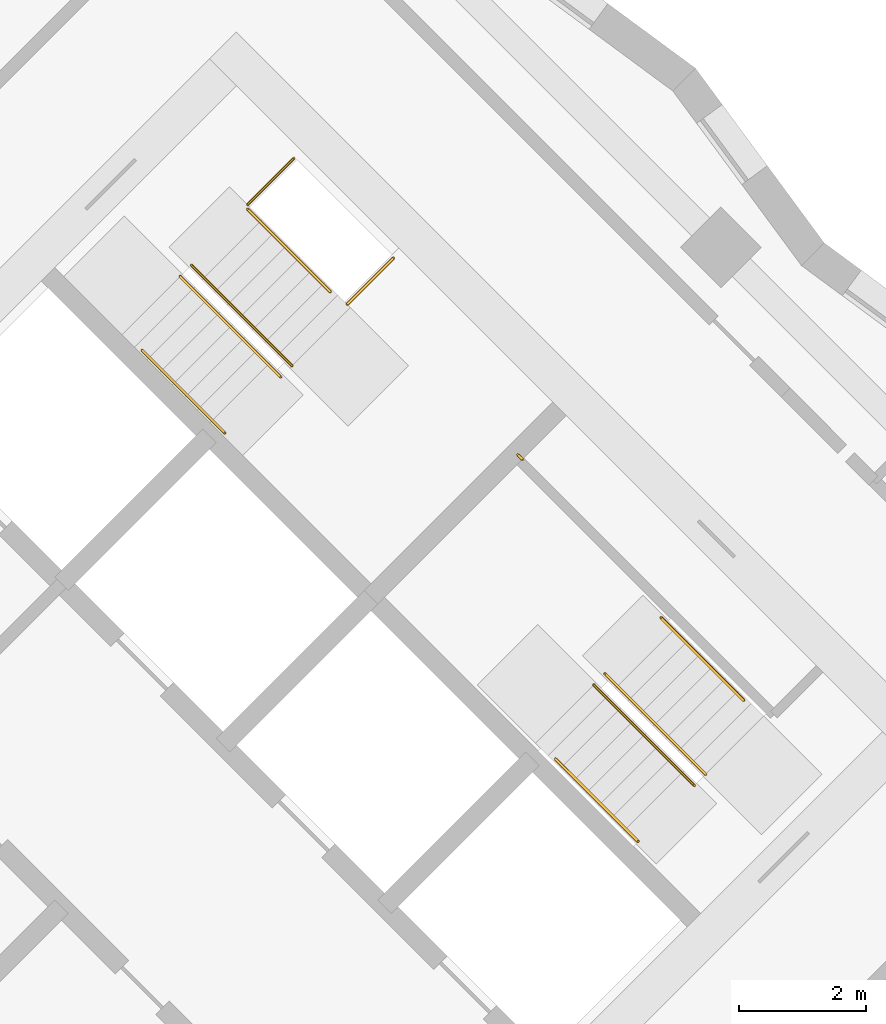
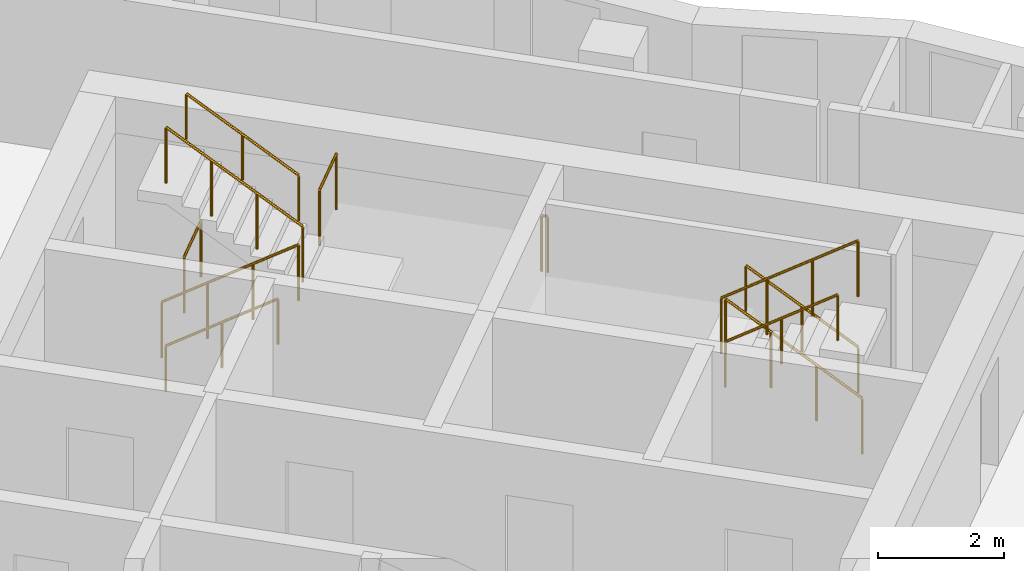
# One storey, part 12 of 12: 11 railings.
"""IFC4 building model written with IfcOpenShell, lengths in metres."""

from ifc_helpers import new_model, si_unit, direction, frame, origin, origin_2d, place, context, subcontext, project, spatial, circle, extrude, material, type_object, element, save


model = new_model("IFC4")

# Units and contexts
model_context = context("Model", 3, precision=1e-05, world=origin(), true_north=direction((0.0, 1.0)))
body_context = subcontext(model_context, "Body", "Model", "MODEL_VIEW")
ifc_project = project(units=[si_unit("LENGTHUNIT", "METRE"), si_unit("AREAUNIT", "SQUARE_METRE"), si_unit("VOLUMEUNIT", "CUBIC_METRE"), si_unit("PLANEANGLEUNIT", "RADIAN"), si_unit("MASSUNIT", "GRAM", prefix="KILO")], contexts=[model_context])

# Site, building, storey
site_placement = place(None, origin())
site = spatial("IfcSite", under=ifc_project, at=site_placement, CompositionType="ELEMENT")
building_placement = place(site_placement, origin())
building = spatial("IfcBuilding", under=site, at=building_placement, Name="Windrow Commons", CompositionType="ELEMENT")
storey_placement = place(building_placement, frame((0.0, 0.0, 159.2)))
storey = spatial("IfcBuildingStorey", under=building, at=storey_placement, Name="L43", CompositionType="ELEMENT", Elevation=159.2)

# Railings
ifc_material_1 = material(Name="Steel S355", Category="steel")
railing_type_1 = type_object("IfcRailingType", Name="Core stair guard 1100", PredefinedType="GUARDRAIL", material=ifc_material_1)
railing_1_placement = place(storey_placement, frame((85.9529, 56.2669, 0.1889)))
element("IfcRailing", 1, at=railing_1_placement, inside=storey, type_object=railing_type_1, Name="L43 ST-B1 stair guard 1", PredefinedType="GUARDRAIL", context=body_context, shape_type="SweptSolid", body=[
    extrude(circle(Radius=0.024, at=origin_2d()), frame((0.0, 0.0, 1.076), z_axis=(0.5861914914, -0.5861914914, 0.5592486664), x_axis=(0.7071067812, 0.7071067812, 0.0)), (0.0, 0.0, 1.0), 2.702),
    extrude(circle(Radius=0.021, at=origin_2d()), origin(), (0.0, 0.0, 1.0), 1.052),
    extrude(circle(Radius=0.021, at=origin_2d()), frame((0.528, -0.528, 0.5037)), (0.0, 0.0, 1.0), 1.052),
    extrude(circle(Radius=0.021, at=origin_2d()), frame((1.0559, -1.0559, 1.0074)), (0.0, 0.0, 1.0), 1.052),
    extrude(circle(Radius=0.021, at=origin_2d()), frame((1.5839, -1.5839, 1.5111)), (0.0, 0.0, 1.0), 1.052),
])
railing_2_placement = place(storey_placement, frame((87.7136, 54.8597, 1.8889)))
element("IfcRailing", 2, at=railing_2_placement, inside=storey, type_object=railing_type_1, Name="L43 ST-B1 stair guard 2", PredefinedType="GUARDRAIL", context=body_context, shape_type="SweptSolid", body=[
    extrude(circle(Radius=0.024, at=origin_2d()), frame((0.0, 0.0, 1.076), z_axis=(-0.5862030657, 0.5862030657, 0.5592244018), x_axis=(-0.7071067812, -0.7071067812, 0.0)), (0.0, 0.0, 1.0), 2.7021),
    extrude(circle(Radius=0.021, at=origin_2d()), origin(), (0.0, 0.0, 1.0), 1.052),
    extrude(circle(Radius=0.021, at=origin_2d()), frame((-0.528, 0.528, 0.5037)), (0.0, 0.0, 1.0), 1.052),
    extrude(circle(Radius=0.021, at=origin_2d()), frame((-1.056, 1.056, 1.0074)), (0.0, 0.0, 1.0), 1.052),
    extrude(circle(Radius=0.021, at=origin_2d()), frame((-1.584, 1.584, 1.5111)), (0.0, 0.0, 1.0), 1.052),
])
railing_3_placement = place(storey_placement, frame((87.0135, 57.3982, 0.0)))
element("IfcRailing", 3, at=railing_3_placement, inside=storey, type_object=railing_type_1, Name="L43 ST-B1 stair guard 3", PredefinedType="GUARDRAIL", context=body_context, shape_type="SweptSolid", body=[
    extrude(circle(Radius=0.024, at=origin_2d()), frame((0.0, 0.0, 1.076), z_axis=(0.7070582378, 0.7071553212, 0.0), x_axis=(-0.7071553212, 0.7070582378, 0.0)), (0.0, 0.0, 1.0), 1.03),
    extrude(circle(Radius=0.021, at=origin_2d()), origin(), (0.0, 0.0, 1.0), 1.052),
    extrude(circle(Radius=0.021, at=origin_2d()), frame((0.7283, 0.7284, 0.0)), (0.0, 0.0, 1.0), 1.052),
])
railing_4_placement = place(storey_placement, frame((88.5833, 55.8285, 1.7)))
element("IfcRailing", 4, at=railing_4_placement, inside=storey, type_object=railing_type_1, Name="L43 ST-B1 stair guard 4", PredefinedType="GUARDRAIL", context=body_context, shape_type="SweptSolid", body=[
    extrude(circle(Radius=0.024, at=origin_2d()), frame((0.0, 0.0, 1.076), z_axis=(0.7071067812, 0.7071067812, 0.0), x_axis=(-0.7071067812, 0.7071067812, 0.0)), (0.0, 0.0, 1.0), 1.03),
    extrude(circle(Radius=0.021, at=origin_2d()), origin(), (0.0, 0.0, 1.0), 1.052),
    extrude(circle(Radius=0.021, at=origin_2d()), frame((0.7283, 0.7283, 0.0)), (0.0, 0.0, 1.0), 1.052),
])
railing_5_placement = place(storey_placement, frame((94.2296, 48.4215, 0.1889)))
element("IfcRailing", 5, at=railing_5_placement, inside=storey, type_object=railing_type_1, Name="L43 ST-B2 stair guard 1", PredefinedType="GUARDRAIL", context=body_context, shape_type="SweptSolid", body=[
    extrude(circle(Radius=0.024, at=origin_2d()), frame((0.0, 0.0, 1.076), z_axis=(-0.5862157828, 0.5861787742, 0.5592365337), x_axis=(-0.7070844598, -0.7071291018, 0.0)), (0.0, 0.0, 1.0), 2.7021),
    extrude(circle(Radius=0.021, at=origin_2d()), origin(), (0.0, 0.0, 1.0), 1.052),
    extrude(circle(Radius=0.021, at=origin_2d()), frame((-0.528, 0.528, 0.5037)), (0.0, 0.0, 1.0), 1.052),
    extrude(circle(Radius=0.021, at=origin_2d()), frame((-1.056, 1.0559, 1.0074)), (0.0, 0.0, 1.0), 1.052),
    extrude(circle(Radius=0.021, at=origin_2d()), frame((-1.584, 1.5839, 1.5111)), (0.0, 0.0, 1.0), 1.052),
])
railing_6_placement = place(storey_placement, frame((92.4689, 49.8287, 1.8889)))
element("IfcRailing", 6, at=railing_6_placement, inside=storey, type_object=railing_type_1, Name="L43 ST-B2 stair guard 2", PredefinedType="GUARDRAIL", context=body_context, shape_type="SweptSolid", body=[
    extrude(circle(Radius=0.024, at=origin_2d()), frame((0.0, 0.0, 1.076), z_axis=(0.5861787742, -0.5862157828, 0.5592365337), x_axis=(0.7071291018, 0.7070844598, 0.0)), (0.0, 0.0, 1.0), 2.7021),
    extrude(circle(Radius=0.021, at=origin_2d()), origin(), (0.0, 0.0, 1.0), 1.052),
    extrude(circle(Radius=0.021, at=origin_2d()), frame((0.528, -0.528, 0.5037)), (0.0, 0.0, 1.0), 1.052),
    extrude(circle(Radius=0.021, at=origin_2d()), frame((1.0559, -1.056, 1.0074)), (0.0, 0.0, 1.0), 1.052),
    extrude(circle(Radius=0.021, at=origin_2d()), frame((1.5839, -1.584, 1.5111)), (0.0, 0.0, 1.0), 1.052),
])
railing_7_placement = place(storey_placement, frame((91.3446, 53.3854, 1.7)))
element("IfcRailing", 7, at=railing_7_placement, inside=storey, type_object=railing_type_1, Name="L43 ST-B2 stair guard 3", PredefinedType="GUARDRAIL", context=body_context, shape_type="SweptSolid", body=[
    extrude(circle(Radius=0.024, at=origin_2d()), frame((0.0, 0.0, 1.076), z_axis=(-0.7076063266, 0.7066068826, 0.0), x_axis=(-0.7066068826, -0.7076063266, 0.0)), (0.0, 0.0, 1.0), 0.1001),
    extrude(circle(Radius=0.021, at=origin_2d()), origin(), (0.0, 0.0, 1.0), 1.052),
    extrude(circle(Radius=0.021, at=origin_2d()), frame((-0.0708, 0.0707, 0.0)), (0.0, 0.0, 1.0), 1.052),
])
ifc_material_2 = material(Name="Steel S355", Category="steel")
railing_type_2 = type_object("IfcRailingType", Name="Core stair handrail 900", PredefinedType="HANDRAIL", material=ifc_material_2)
railing_8_placement = place(storey_placement, frame((85.3518, 55.1001, 0.4587)))
element("IfcRailing", 8, at=railing_8_placement, inside=storey, type_object=railing_type_2, Name="L43 ST-B1 stair handrail 1", PredefinedType="HANDRAIL", context=body_context, shape_type="SweptSolid", body=[
    extrude(circle(Radius=0.024, at=origin_2d()), frame((0.0, 0.0, 0.876), z_axis=(0.586206706, -0.5861616513, 0.5592639952), x_axis=(0.7070796062, 0.7071339551, 0.0)), (0.0, 0.0, 1.0), 2.2195),
    extrude(circle(Radius=0.021, at=origin_2d()), origin(), (0.0, 0.0, 1.0), 0.852),
    extrude(circle(Radius=0.021, at=origin_2d()), frame((0.6506, -0.6505, 0.6206)), (0.0, 0.0, 1.0), 0.852),
    extrude(circle(Radius=0.021, at=origin_2d()), frame((1.3011, -1.301, 1.2413)), (0.0, 0.0, 1.0), 0.852),
])
for number, where, name in (
    (9, (88.3146, 56.0265, 2.1587), "L43 ST-B1 stair handrail 2"),
    (10, (94.8306, 49.5883, 0.4587), "L43 ST-B2 stair handrail 1"),
):
    element("IfcRailing", number, at=place(storey_placement, frame(where)), inside=storey, type_object=railing_type_2, Name=name, PredefinedType="HANDRAIL", context=body_context, shape_type="SweptSolid", body=[
        extrude(circle(Radius=0.024, at=origin_2d()), frame((0.0, 0.0, 0.876), z_axis=(-0.586206706, 0.5861616513, 0.5592639952), x_axis=(-0.7070796062, -0.7071339551, 0.0)), (0.0, 0.0, 1.0), 2.2195),
        extrude(circle(Radius=0.021, at=origin_2d()), origin(), (0.0, 0.0, 1.0), 0.852),
        extrude(circle(Radius=0.021, at=origin_2d()), frame((-0.6506, 0.6505, 0.6206)), (0.0, 0.0, 1.0), 0.852),
        extrude(circle(Radius=0.021, at=origin_2d()), frame((-1.3011, 1.301, 1.2413)), (0.0, 0.0, 1.0), 0.852),
    ])
railing_9_placement = place(storey_placement, frame((91.8678, 48.6619, 2.1587)))
element("IfcRailing", 11, at=railing_9_placement, inside=storey, type_object=railing_type_2, Name="L43 ST-B2 stair handrail 2", PredefinedType="HANDRAIL", context=body_context, shape_type="SweptSolid", body=[
    extrude(circle(Radius=0.024, at=origin_2d()), frame((0.0, 0.0, 0.876), z_axis=(0.586206706, -0.5861616513, 0.5592639952), x_axis=(0.7070796062, 0.7071339551, 0.0)), (0.0, 0.0, 1.0), 2.2195),
    extrude(circle(Radius=0.021, at=origin_2d()), origin(), (0.0, 0.0, 1.0), 0.852),
    extrude(circle(Radius=0.021, at=origin_2d()), frame((0.6505, -0.6505, 0.6206)), (0.0, 0.0, 1.0), 0.852),
    extrude(circle(Radius=0.021, at=origin_2d()), frame((1.3011, -1.301, 1.2413)), (0.0, 0.0, 1.0), 0.852),
])

save(model, "model.ifc")
